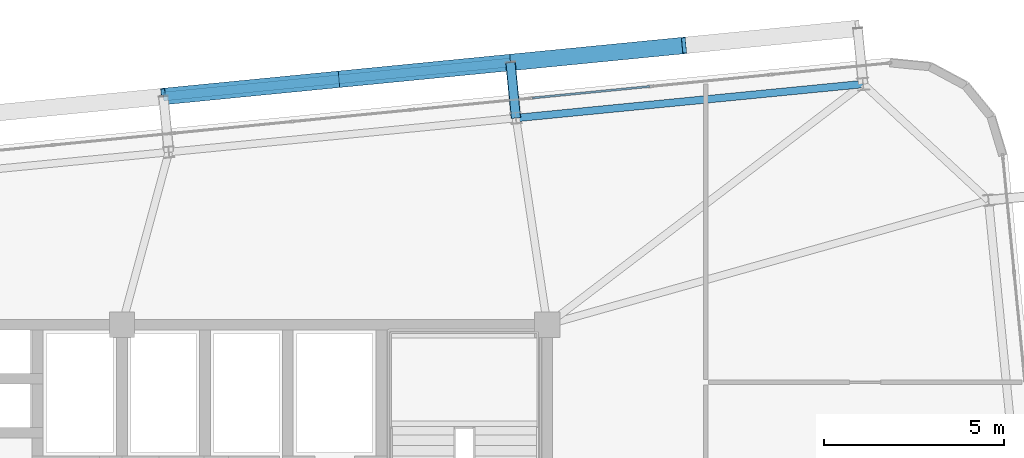
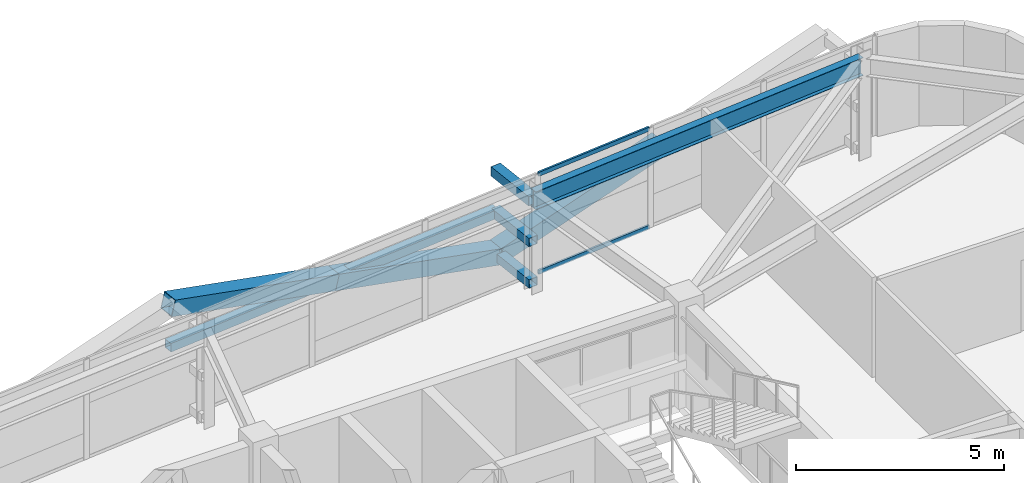
# One storey, part 32 of 53: 9 members, 1 beam, 1 element without a shape of its own.
"""IFC4 building model written with IfcOpenShell, lengths in metres."""

from ifc_helpers import new_model, si_unit, direction, frame, origin, origin_2d, place, context, subcontext, project, spatial, hollow_rectangle, i_section, extrude, source, transform, mapped, material, layer, layer_set, material_profile, profile_set, type_object, element, aggregate, save


model = new_model("IFC4")

# Units and contexts
model_context = context("Model", 3, precision=1e-05, world=origin(), true_north=direction((0.0, 1.0)))
body_context = subcontext(model_context, "Body", "Model", "MODEL_VIEW")
ifc_project = project(units=[si_unit("LENGTHUNIT", "METRE"), si_unit("AREAUNIT", "SQUARE_METRE"), si_unit("VOLUMEUNIT", "CUBIC_METRE"), si_unit("PLANEANGLEUNIT", "RADIAN"), si_unit("MASSUNIT", "GRAM", prefix="KILO")], contexts=[model_context])

# Site, building, storey
site_placement = place(None, origin())
site = spatial("IfcSite", under=ifc_project, at=site_placement, CompositionType="ELEMENT")
building_placement = place(site_placement, origin())
building = spatial("IfcBuilding", under=site, at=building_placement, Name="Taldren Reach Tower", CompositionType="ELEMENT")
storey_placement = place(building_placement, frame((0.0, 0.0, 80.85009765625)))
storey = spatial("IfcBuildingStorey", under=building, at=storey_placement, Name="L24", CompositionType="ELEMENT", Elevation=80.85009765625)

# Members
ifc_material_1 = material(Name="Steel Gr 450 (C450L0)", Category="steel")
ifc_material_profile_1 = material_profile(ifc_material_1, hollow_rectangle(XDim=0.27490234375, YDim=0.27490234375, WallThickness=0.00927734375, at=origin_2d()), Name="275x275x9.3SHS")
ifc_profile_set_1 = profile_set([ifc_material_profile_1], Name="Steel Gr 450 (C450L0)")
member_type_1 = type_object("IfcMemberType", Name="MB-TIE273", PredefinedType="STRUT", material=ifc_profile_set_1)
shared_shape_1 = source(origin(), body_context, "Body", "SweptSolid", [
    extrude(hollow_rectangle(XDim=0.27490234375, YDim=0.27490234375, WallThickness=0.00927734375, at=origin_2d()), origin(), (0.0, 0.0, 1.0), 1.5498046875),
])
member_1_placement = place(storey_placement, frame((50.132080078125, 37.7353515625, 2.64990234375), z_axis=(-0.097663201064, 0.995219523099, 0.0), x_axis=(-0.995219523099, -0.097663201064, 0.0)))
element("IfcMember", 1, at=member_1_placement, inside=storey, type_object=member_type_1, Name="Exoskeleton diaphragm tie strut B2-N5 L24", PredefinedType="STRUT", context=body_context, shape_type="MappedRepresentation", body=[
    mapped(shared_shape_1, transform((0.0, 0.0, 0.0), scale=1.0)),
])
ifc_material_2 = material(Name="Steel Gr 350 (C350L0)", Category="steel")
ifc_material_profile_2 = material_profile(ifc_material_2, hollow_rectangle(XDim=0.25, YDim=0.25, WallThickness=0.010009765625, at=origin_2d()), Name="250x250x10.0SHS")
ifc_profile_set_2 = profile_set([ifc_material_profile_2], Name="Steel Gr 350 (C350L0)")
member_type_2 = type_object("IfcMemberType", Name="MB-POST250", PredefinedType="POST", material=ifc_profile_set_2)
shared_shape_2 = source(origin(), body_context, "Body", "SweptSolid", [
    extrude(hollow_rectangle(XDim=0.25, YDim=0.25, WallThickness=0.010009765625, at=origin_2d()), origin(), (0.0, 0.0, 1.0), 1.5498046875),
])
for number, where, z_axis, x_axis, name in (
    (2, (50.132080078125, 37.7353515625, 0.219970703125), (-0.097663201064, 0.995219523099, 0.0), (-0.995219523099, -0.097663201064, 0.0), "Exoskeleton base diaphragm tie strut B2-N5 L24"),
    (3, (50.132080078125, 37.7353515625, 1.434814453125), (-0.097663201064, 0.995219523099, 0.0), (-0.995219523099, -0.097663201064, 0.0), "Exoskeleton mid-tier diaphragm tie B2-N5 L24"),
):
    element("IfcMember", number, at=place(storey_placement, frame(where, z_axis=z_axis, x_axis=x_axis)), inside=storey, type_object=member_type_2, Name=name, PredefinedType="POST", context=body_context, shape_type="MappedRepresentation", body=[
        mapped(shared_shape_2, transform((0.0, 0.0, 0.0), scale=1.0)),
    ])

# Beam
ifc_material_3 = material(Name="Steel Gr 350 (350PLUS)", Category="steel")
ifc_material_profile_3 = material_profile(ifc_material_3, i_section(OverallWidth=0.208984375, OverallDepth=0.528076171875, WebThickness=0.009521484375, FlangeThickness=0.01318359375, at=origin_2d()), Name="530UB82.0")
ifc_profile_set_3 = profile_set([ifc_material_profile_3], Name="Steel Gr 350 (350PLUS)")
beam_type = type_object("IfcBeamType", Name="SP-UB530B", PredefinedType="SPANDREL", material=ifc_profile_set_3)
shared_shape_3 = source(origin(), body_context, "Body", "SweptSolid", [
    extrude(i_section(OverallWidth=0.208984375, OverallDepth=0.528076171875, WebThickness=0.009521484375, FlangeThickness=0.01318359375, at=origin_2d()), origin(), (0.0, 0.0, 1.0), 9.679931640625),
])
beam_placement = place(storey_placement, frame((59.765869140625, 38.679931640625, 2.666015625), z_axis=(-0.995227612658, -0.097580730699, 0.0), x_axis=(0.097580730699, -0.995227612658, 0.0)))
element("IfcBeam", 4, at=beam_placement, inside=storey, type_object=beam_type, Name="Perimeter spandrel B2 N6-N5 L24", PredefinedType="SPANDREL", context=body_context, shape_type="MappedRepresentation", body=[
    mapped(shared_shape_3, transform((0.0, 0.0, 0.0), scale=1.0)),
])

# Members
ifc_material_profile_4 = material_profile(ifc_material_1, hollow_rectangle(XDim=0.4599609375, YDim=0.4599609375, WallThickness=0.01611328125, at=origin_2d()), Name="460x460x16.0SHS")
ifc_profile_set_4 = profile_set([ifc_material_profile_4], Name="Steel Gr 450 (C450L0)")
member_type_3 = type_object("IfcMemberType", Name="MB-EXO457", PredefinedType="BRACE", material=ifc_profile_set_4)
shared_shape_4 = source(origin(), body_context, "Body", "SweptSolid", [
    extrude(hollow_rectangle(XDim=0.4599609375, YDim=0.4599609375, WallThickness=0.01611328125, at=origin_2d()), origin(), (0.0, 0.0, 1.0), 4.990234375),
])
for number, where, z_axis, x_axis, name in (
    (5, (49.980712890625, 39.27783203125, 0.219970703125), (-0.965287024526, -0.094620633828, 0.24344998652), (0.097555749586, -0.995230061706, 0.0), "Exoskeleton Diagrid Brace B2-N4 L24"),
    (6, (45.163818359375, 38.8056640625, 1.434814453125), (-0.965271056716, -0.094667992638, 0.243494883389), (0.097605711627, -0.995225162995, 0.0), "Exoskeleton Diagrid Brace B2-N4 L24"),
    (7, (49.980712890625, 39.27783203125, 0.219970703125), (0.965282554799, 0.094669120301, 0.243448859234), (-0.097605711627, 0.995225162995, 0.0), "Exoskeleton Diagrid Brace B2-N5 L24"),
):
    element("IfcMember", number, at=place(storey_placement, frame(where, z_axis=z_axis, x_axis=x_axis)), inside=storey, type_object=member_type_3, Name=name, PredefinedType="BRACE", context=body_context, shape_type="MappedRepresentation", body=[
        mapped(shared_shape_4, transform((0.0, 0.0, 0.0), scale=1.0)),
    ])
shared_shape_5 = source(origin(), body_context, "Body", "SweptSolid", [
    extrude(hollow_rectangle(XDim=0.25, YDim=0.25, WallThickness=0.010009765625, at=origin_2d()), origin(), (0.0, 0.0, 1.0), 9.679931640625),
])
member_2_placement = place(storey_placement, frame((40.346923828125, 38.333251953125, 1.434814453125), z_axis=(0.995227612658, 0.097580730699, 0.0), x_axis=(-0.097580730699, 0.995227612658, 0.0)))
element("IfcMember", 8, at=member_2_placement, inside=storey, type_object=member_type_2, Name="Exoskeleton mid-height ring chord B2-N4 L24", PredefinedType="POST", context=body_context, shape_type="MappedRepresentation", body=[
    mapped(shared_shape_5, transform((0.0, 0.0, 0.0), scale=1.0)),
])

# Curtain wall, members
ifc_material_4 = material(Name="Aluminium and Low-E Glass Unitised System", Category="aluminium")
ifc_layer = layer(ifc_material_4, 0.159912109375)
ifc_layer_set = layer_set([ifc_layer], Name="Aluminium and Low-E Glass Unitised System")
curtain_wall_type = type_object("IfcCurtainWallType", Name="CW-SYS-3", PredefinedType="NOTDEFINED", material=ifc_layer_set)
curtain_wall_placement = place(storey_placement, origin())
curtain_wall = element("IfcCurtainWall", 9, at=curtain_wall_placement, inside=storey, type_object=curtain_wall_type, Name="Unitised curtain wall CW-L24-N", PredefinedType="NOTDEFINED")
ifc_material_5 = material(Name="Anodised Aluminium 6063-T6", Category="aluminium")
ifc_material_profile_5 = material_profile(ifc_material_5, hollow_rectangle(XDim=0.054931640625, YDim=0.1201171875, WallThickness=0.0029296875, at=origin_2d()), Name="ALU-120x55x3RHS")
ifc_profile_set_5 = profile_set([ifc_material_profile_5], Name="Anodised Aluminium 6063-T6")
member_type_4 = type_object("IfcMemberType", Name="CW-TRN-135", PredefinedType="USERDEFINED", material=ifc_profile_set_5)
shared_shape_6 = source(origin(), body_context, "Body", "SweptSolid", [
    extrude(hollow_rectangle(XDim=0.054931640625, YDim=0.1201171875, WallThickness=0.0029296875, at=origin_2d()), origin(), (0.0, 0.0, 1.0), 3.268310546875),
])
member_3_placement = place(storey_placement, frame((53.844970703125, 38.61181640625, 0.02734375), z_axis=(-0.99522980512, -0.097558367146, 0.0), x_axis=(0.097558367146, -0.99522980512, 0.0)))
member_3 = element("IfcMember", 10, at=member_3_placement, type_object=member_type_4, Name="CW-3 transom 3.1", ObjectType="TRANSOM", PredefinedType="USERDEFINED", context=body_context, shape_type="MappedRepresentation", body=[
    mapped(shared_shape_6, transform((0.0, 0.0, 0.0), scale=1.0)),
])
member_4_placement = place(storey_placement, frame((53.844970703125, 38.61181640625, 2.90234375), z_axis=(-0.99522980512, -0.097558367146, 0.0), x_axis=(0.097558367146, -0.99522980512, 0.0)))
member_4 = element("IfcMember", 11, at=member_4_placement, type_object=member_type_4, Name="CW-3 transom 3.2", ObjectType="TRANSOM", PredefinedType="USERDEFINED", context=body_context, shape_type="MappedRepresentation", body=[
    mapped(shared_shape_6, transform((0.0, 0.0, 0.0), scale=1.0)),
])
aggregate(curtain_wall, [member_3, member_4])

save(model, "model.ifc")
